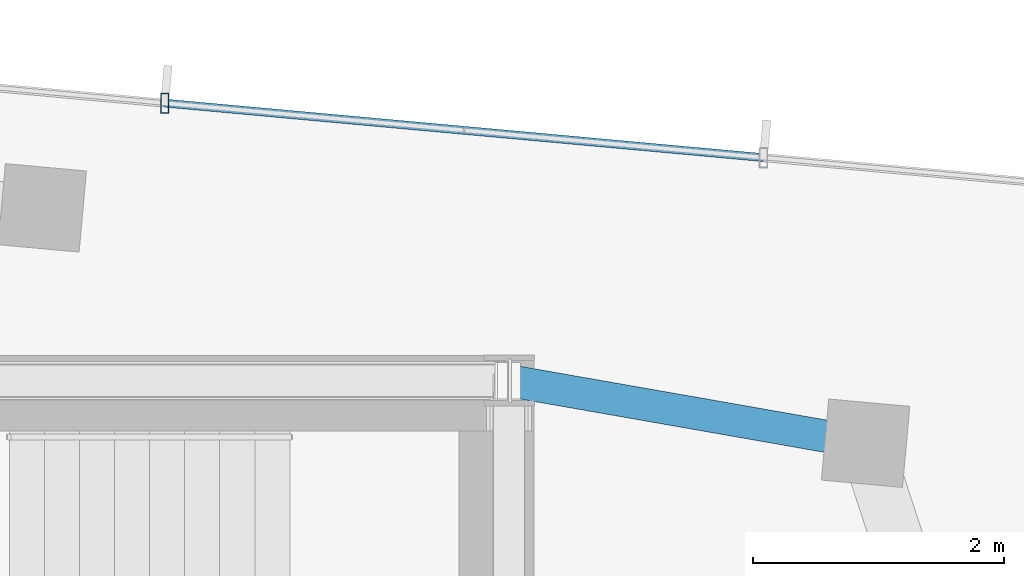
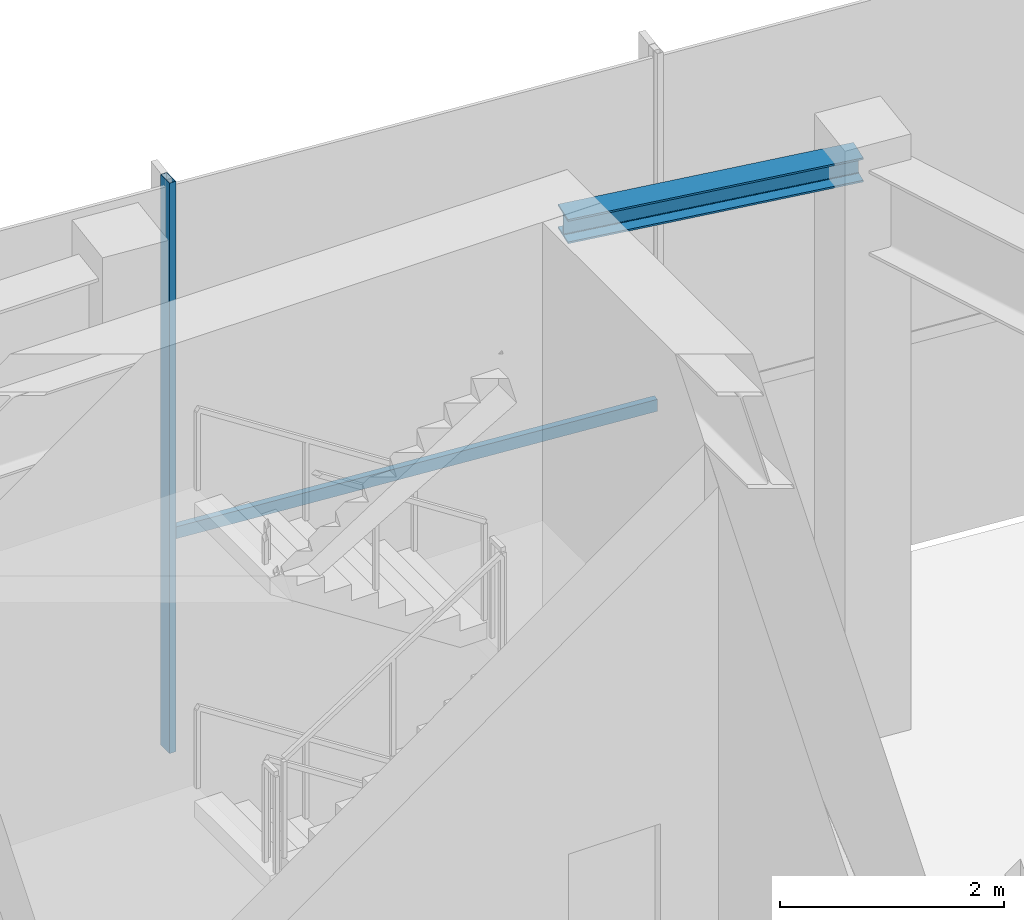
# One storey, part 9 of 19: 2 members, 1 beam, 1 element without a shape of its own.
"""IFC4 building model written with IfcOpenShell, lengths in metres."""

from ifc_helpers import new_model, si_unit, direction, frame, origin, origin_2d, place, context, subcontext, project, spatial, hollow_rectangle, i_section, extrude, source, transform, mapped, material, material_profile, profile_set, type_object, type_shapes, element, aggregate, save


model = new_model("IFC4")

# Units and contexts
model_context = context("Model", 3, precision=1e-05, world=origin(), true_north=direction((0.0, 1.0)))
body_context = subcontext(model_context, "Body", "Model", "MODEL_VIEW")
ifc_project = project(units=[si_unit("LENGTHUNIT", "METRE"), si_unit("AREAUNIT", "SQUARE_METRE"), si_unit("VOLUMEUNIT", "CUBIC_METRE"), si_unit("PLANEANGLEUNIT", "RADIAN"), si_unit("MASSUNIT", "GRAM", prefix="KILO")], contexts=[model_context])

# Site, building, storey
site_placement = place(None, origin())
site = spatial("IfcSite", under=ifc_project, at=site_placement, CompositionType="ELEMENT")
building_placement = place(site_placement, origin())
building = spatial("IfcBuilding", under=site, at=building_placement, Name="Astriad Promenade Condominiums", CompositionType="ELEMENT")
storey_placement = place(building_placement, frame((0.0, 0.0, 283.800048828125)))
storey = spatial("IfcBuildingStorey", under=building, at=storey_placement, Name="L79", CompositionType="ELEMENT", Elevation=283.800048828125)

# Beam
ifc_material_1 = material(Name="Steel ASTM A992 Grade 50", Category="steel")
ifc_material_profile_1 = material_profile(ifc_material_1, i_section(OverallWidth=0.25732421875, OverallDepth=0.26416015625, WebThickness=0.011962890625, FlangeThickness=0.01953125, FilletRadius=0.0126953125, at=origin_2d()), Name="W10X68")
ifc_profile_set_1 = profile_set([ifc_material_profile_1], Name="Steel ASTM A992 Grade 50")
beam_type = type_object("IfcBeamType", Name="STEEL CANOPY BEAM W10X68", PredefinedType="BEAM", material=ifc_profile_set_1)
shared_shape_1 = source(origin(), body_context, "Body", "SweptSolid", [
    extrude(i_section(OverallWidth=0.25732421875, OverallDepth=0.26416015625, WebThickness=0.011962890625, FlangeThickness=0.01953125, FilletRadius=0.0126953125, at=origin_2d()), origin(), (0.0, 0.0, 1.0), 2.809326171875),
])
type_shapes(beam_type, [shared_shape_1])
beam_placement = place(storey_placement, frame((48.406494140625, 23.5078125, 6.087890625), z_axis=(-0.984963251782, 0.172763979578, 0.0), x_axis=(-0.172763979578, -0.984963251782, 0.0)))
element("IfcBeam", 1, at=beam_placement, inside=storey, type_object=beam_type, Name="Primary Floor Girder PG-NE-L79", PredefinedType="BEAM", context=body_context, shape_type="MappedRepresentation", body=[
    mapped(shared_shape_1, transform((0.0, 0.0, 0.0), scale=1.0)),
])

# Curtain wall, members
ifc_material_2 = material(Name="Anodised aluminium Black Dark Glass Unitised", Category="aluminium")
curtain_wall_type = type_object("IfcCurtainWallType", Name="CW-TMD-LANTERN", PredefinedType="USERDEFINED", material=ifc_material_2)
curtain_wall_placement = place(storey_placement, origin())
curtain_wall = element("IfcCurtainWall", 2, at=curtain_wall_placement, inside=storey, type_object=curtain_wall_type, Name="CW-CRN-L79-08", ObjectType="UNITISED_CURTAIN_WALL", PredefinedType="USERDEFINED")
ifc_material_3 = material(Name="Anodised aluminium 6063-T6 Black", Category="aluminium")
ifc_material_profile_2 = material_profile(ifc_material_3, hollow_rectangle(XDim=0.06494140625, YDim=0.159912109375, WallThickness=0.00390625, at=origin_2d()), Name="ALU-MUL-65X160")
ifc_profile_set_2 = profile_set([ifc_material_profile_2], Name="Anodised aluminium 6063-T6 Black")
member_type_1 = type_object("IfcMemberType", Name="MUL-ALU-MUL-65X160", PredefinedType="MULLION", material=ifc_profile_set_2)
shared_shape_2 = source(origin(), body_context, "Body", "SweptSolid", [
    extrude(hollow_rectangle(XDim=0.06494140625, YDim=0.159912109375, WallThickness=0.00390625, at=origin_2d()), origin(), (0.0, 0.0, 1.0), 6.219970703125),
])
type_shapes(member_type_1, [shared_shape_2])
member_1_placement = place(storey_placement, frame((42.85009765625, 26.216552734375, 0.0), z_axis=(0.0, 0.0, 1.0), x_axis=(1.0, 0.0, 0.0)))
member_1 = element("IfcMember", 3, at=member_1_placement, type_object=member_type_1, Name="CW-CRN-L79-08-MUL-05", PredefinedType="MULLION", context=body_context, shape_type="MappedRepresentation", body=[
    mapped(shared_shape_2, transform((0.0, 0.0, 0.0), scale=1.0)),
])
ifc_material_profile_3 = material_profile(ifc_material_3, hollow_rectangle(XDim=0.06494140625, YDim=0.1298828125, WallThickness=0.00390625, at=origin_2d()), Name="ALU-TRN-65X130")
ifc_profile_set_3 = profile_set([ifc_material_profile_3], Name="Anodised aluminium 6063-T6 Black")
member_type_2 = type_object("IfcMemberType", Name="TRN-ALU-TRN-65X130", PredefinedType="USERDEFINED", material=ifc_profile_set_3)
shared_shape_3 = source(origin(), body_context, "Body", "SweptSolid", [
    extrude(hollow_rectangle(XDim=0.06494140625, YDim=0.1298828125, WallThickness=0.00390625, at=origin_2d()), origin(), (0.0, 0.0, 1.0), 4.800048828125),
])
type_shapes(member_type_2, [shared_shape_3])
member_2_placement = place(storey_placement, frame((42.85009765625, 26.216552734375, 2.349853515625), z_axis=(0.995884029465, -0.09063663639, 0.0), x_axis=(0.09063663639, 0.995884029465, 0.0)))
member_2 = element("IfcMember", 4, at=member_2_placement, type_object=member_type_2, Name="CW-CRN-L79-08-TRN-05-0", ObjectType="TRANSOM", PredefinedType="USERDEFINED", context=body_context, shape_type="MappedRepresentation", body=[
    mapped(shared_shape_3, transform((0.0, 0.0, 0.0), scale=1.0)),
])
aggregate(curtain_wall, [member_1, member_2])

save(model, "model.ifc")
